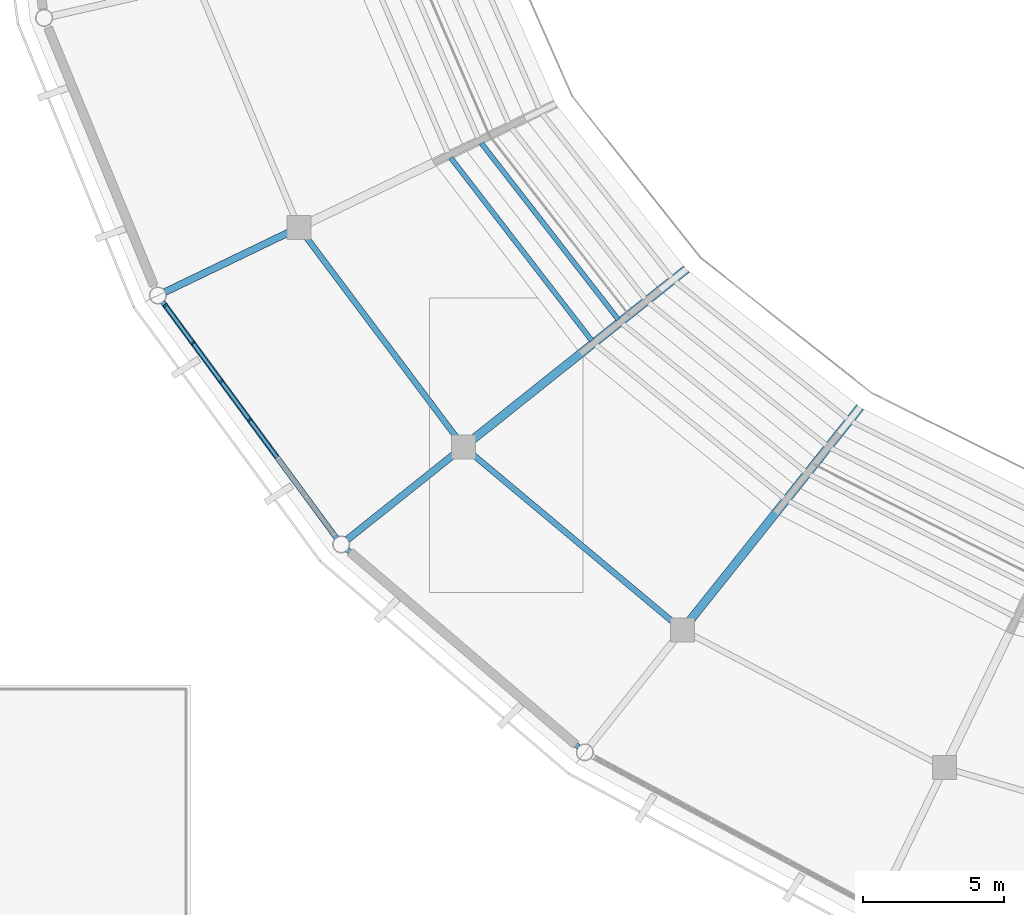
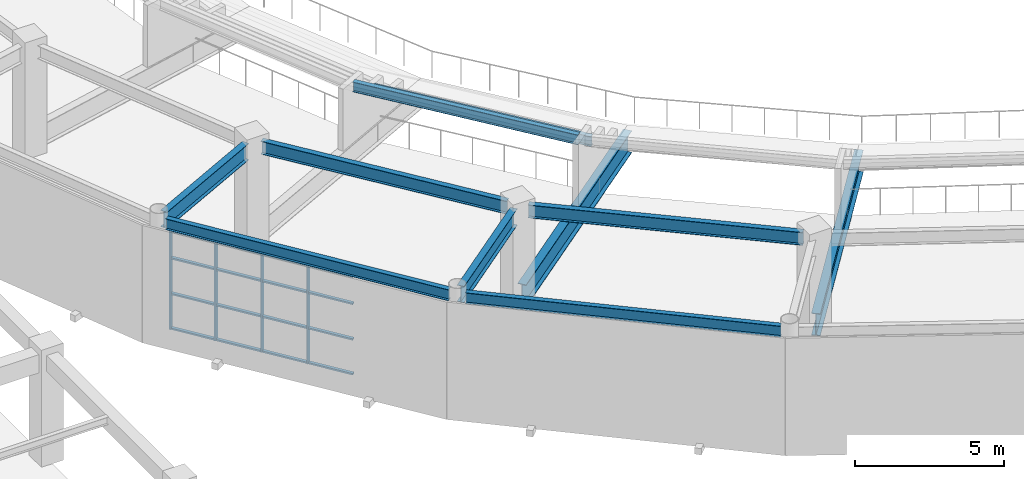
# One storey, part 28 of 122: 20 members, 10 beams, 1 element without a shape of its own.
"""IFC4 building model written with IfcOpenShell, lengths in metres."""

from ifc_helpers import new_model, si_unit, direction, frame, origin, origin_2d, place, context, subcontext, project, spatial, rectangle, i_section, extrude, material, material_profile, profile_set, type_object, element, aggregate, save


model = new_model("IFC4")

# Units and contexts
model_context = context("Model", 3, precision=1e-05, world=origin(), true_north=direction((0.0, 1.0)))
body_context = subcontext(model_context, "Body", "Model", "MODEL_VIEW")
ifc_project = project(units=[si_unit("LENGTHUNIT", "METRE"), si_unit("AREAUNIT", "SQUARE_METRE"), si_unit("VOLUMEUNIT", "CUBIC_METRE"), si_unit("PLANEANGLEUNIT", "RADIAN"), si_unit("MASSUNIT", "GRAM", prefix="KILO")], contexts=[model_context])

# Site, building, storey
site_placement = place(None, origin())
site = spatial("IfcSite", under=ifc_project, at=site_placement, CompositionType="ELEMENT")
building_placement = place(site_placement, origin())
building = spatial("IfcBuilding", under=site, at=building_placement, Name="Cuetzalor Civic Arena", CompositionType="ELEMENT")
storey_placement = place(building_placement, frame((0.0, 0.0, 16.199951171875)))
storey = spatial("IfcBuildingStorey", under=building, at=storey_placement, Name="L03", CompositionType="ELEMENT", Elevation=16.199951171875)

# Curtain wall, members
ifc_material_1 = material(Name="Anodised dark bronze aluminium and low-E solar glass", Category="aluminium")
curtain_wall_type = type_object("IfcCurtainWallType", Name="UnitisedCW_10150x4050", PredefinedType="USERDEFINED", material=ifc_material_1)
curtain_wall_placement = place(storey_placement, origin())
curtain_wall = element("IfcCurtainWall", 1, at=curtain_wall_placement, inside=storey, type_object=curtain_wall_type, Name="Drum Triangle Foyer Curtain Wall L03-051", ObjectType="UNITISED CURTAIN WALL", PredefinedType="USERDEFINED")
ifc_material_2 = material(Name="Anodised dark bronze aluminium", Category="aluminium")
ifc_material_profile_1 = material_profile(ifc_material_2, rectangle(XDim=0.06494140625, YDim=0.14990234375, at=origin_2d()), Name="ALU MULLION 65x150")
ifc_profile_set_1 = profile_set([ifc_material_profile_1], Name="Anodised dark bronze aluminium")
member_type_1 = type_object("IfcMemberType", Name="CurtainWallMullion_60x150", PredefinedType="MULLION", material=ifc_profile_set_1)
member_1_placement = place(storey_placement, frame((-45.8984375, -24.6103515625, 0.0), z_axis=(0.0, 0.0, 1.0), x_axis=(-0.59292931222, 0.805254513002, 0.0)))
member_1 = element("IfcMember", 2, at=member_1_placement, type_object=member_type_1, Name="CW-12 mullion 4", PredefinedType="MULLION", context=body_context, shape_type="SweptSolid", body=[
    extrude(rectangle(XDim=0.06494140625, YDim=0.14990234375, at=origin_2d()), origin(), (0.0, 0.0, 1.0), 4.052978515625),
])
member_2_placement = place(storey_placement, frame((-46.90087890625, -23.2490234375, 0.0), z_axis=(0.0, 0.0, 1.0), x_axis=(-0.59292931222, 0.805254513002, 0.0)))
member_2 = element("IfcMember", 3, at=member_2_placement, type_object=member_type_1, Name="CW-12 mullion 5", PredefinedType="MULLION", context=body_context, shape_type="SweptSolid", body=[
    extrude(rectangle(XDim=0.06494140625, YDim=0.14990234375, at=origin_2d()), origin(), (0.0, 0.0, 1.0), 4.052978515625),
])
member_3_placement = place(storey_placement, frame((-47.9033203125, -21.8876953125, 0.0), z_axis=(0.0, 0.0, 1.0), x_axis=(-0.59292931222, 0.805254513002, 0.0)))
member_3 = element("IfcMember", 4, at=member_3_placement, type_object=member_type_1, Name="CW-12 mullion 6", PredefinedType="MULLION", context=body_context, shape_type="SweptSolid", body=[
    extrude(rectangle(XDim=0.06494140625, YDim=0.14990234375, at=origin_2d()), origin(), (0.0, 0.0, 1.0), 4.052978515625),
])
member_4_placement = place(storey_placement, frame((-48.886474609375, -20.552490234375, 0.0), z_axis=(0.0, 0.0, 1.0), x_axis=(-0.59292931222, 0.805254513002, 0.0)))
member_4 = element("IfcMember", 5, at=member_4_placement, type_object=member_type_1, Name="CW-12 mullion 7", PredefinedType="MULLION", context=body_context, shape_type="SweptSolid", body=[
    extrude(rectangle(XDim=0.06494140625, YDim=0.14990234375, at=origin_2d()), origin(), (0.0, 0.0, 1.0), 4.052978515625),
])
ifc_material_3 = material(Name="Anodised dark bronze aluminium", Category="aluminium")
ifc_material_profile_2 = material_profile(ifc_material_3, rectangle(XDim=0.1201171875, YDim=0.06494140625, at=origin_2d()), Name="ALU TRANSOM 65x120")
ifc_profile_set_2 = profile_set([ifc_material_profile_2], Name="Anodised dark bronze aluminium")
member_type_2 = type_object("IfcMemberType", Name="CurtainWallTransom_60x120", PredefinedType="USERDEFINED", material=ifc_profile_set_2)
member_5_placement = place(storey_placement, frame((-44.915283203125, -25.945556640625, 0.032470703125), z_axis=(-0.592912120819, 0.805267171183, 0.0), x_axis=(-0.805267171183, -0.592912120819, 0.0)))
member_5 = element("IfcMember", 6, at=member_5_placement, type_object=member_type_2, Name="CW-12 transom 3.1", ObjectType="TRANSOM", PredefinedType="USERDEFINED", context=body_context, shape_type="SweptSolid", body=[
    extrude(rectangle(XDim=0.1201171875, YDim=0.06494140625, at=origin_2d()), origin(), (0.0, 0.0, 1.0), 1.625732421875),
])
member_6_placement = place(storey_placement, frame((-44.915283203125, -25.945556640625, 1.458984375), z_axis=(-0.592912120819, 0.805267171183, 0.0), x_axis=(-0.805267171183, -0.592912120819, 0.0)))
member_6 = element("IfcMember", 7, at=member_6_placement, type_object=member_type_2, Name="CW-12 transom 3.2", ObjectType="TRANSOM", PredefinedType="USERDEFINED", context=body_context, shape_type="SweptSolid", body=[
    extrude(rectangle(XDim=0.1201171875, YDim=0.06494140625, at=origin_2d()), origin(), (0.0, 0.0, 1.0), 1.625732421875),
])
member_7_placement = place(storey_placement, frame((-44.915283203125, -25.945556640625, 2.91796875), z_axis=(-0.592912120819, 0.805267171183, 0.0), x_axis=(-0.805267171183, -0.592912120819, 0.0)))
member_7 = element("IfcMember", 8, at=member_7_placement, type_object=member_type_2, Name="CW-12 transom 3.3", ObjectType="TRANSOM", PredefinedType="USERDEFINED", context=body_context, shape_type="SweptSolid", body=[
    extrude(rectangle(XDim=0.1201171875, YDim=0.06494140625, at=origin_2d()), origin(), (0.0, 0.0, 1.0), 1.625732421875),
])
member_8_placement = place(storey_placement, frame((-44.915283203125, -25.945556640625, 4.0205078125), z_axis=(-0.592912120819, 0.805267171183, 0.0), x_axis=(-0.805267171183, -0.592912120819, 0.0)))
member_8 = element("IfcMember", 9, at=member_8_placement, type_object=member_type_2, Name="CW-12 transom 3.4", ObjectType="TRANSOM", PredefinedType="USERDEFINED", context=body_context, shape_type="SweptSolid", body=[
    extrude(rectangle(XDim=0.1201171875, YDim=0.06494140625, at=origin_2d()), origin(), (0.0, 0.0, 1.0), 1.625732421875),
])
member_9_placement = place(storey_placement, frame((-45.917724609375, -24.584228515625, 0.032470703125), z_axis=(-0.592912120819, 0.805267171183, 0.0), x_axis=(-0.805267171183, -0.592912120819, 0.0)))
member_9 = element("IfcMember", 10, at=member_9_placement, type_object=member_type_2, Name="CW-12 transom 4.1", ObjectType="TRANSOM", PredefinedType="USERDEFINED", context=body_context, shape_type="SweptSolid", body=[
    extrude(rectangle(XDim=0.1201171875, YDim=0.06494140625, at=origin_2d()), origin(), (0.0, 0.0, 1.0), 1.625732421875),
])
member_10_placement = place(storey_placement, frame((-45.917724609375, -24.584228515625, 1.458984375), z_axis=(-0.592912120819, 0.805267171183, 0.0), x_axis=(-0.805267171183, -0.592912120819, 0.0)))
member_10 = element("IfcMember", 11, at=member_10_placement, type_object=member_type_2, Name="CW-12 transom 4.2", ObjectType="TRANSOM", PredefinedType="USERDEFINED", context=body_context, shape_type="SweptSolid", body=[
    extrude(rectangle(XDim=0.1201171875, YDim=0.06494140625, at=origin_2d()), origin(), (0.0, 0.0, 1.0), 1.625732421875),
])
member_11_placement = place(storey_placement, frame((-45.917724609375, -24.584228515625, 2.91796875), z_axis=(-0.592912120819, 0.805267171183, 0.0), x_axis=(-0.805267171183, -0.592912120819, 0.0)))
member_11 = element("IfcMember", 12, at=member_11_placement, type_object=member_type_2, Name="CW-12 transom 4.3", ObjectType="TRANSOM", PredefinedType="USERDEFINED", context=body_context, shape_type="SweptSolid", body=[
    extrude(rectangle(XDim=0.1201171875, YDim=0.06494140625, at=origin_2d()), origin(), (0.0, 0.0, 1.0), 1.625732421875),
])
member_12_placement = place(storey_placement, frame((-45.917724609375, -24.584228515625, 4.0205078125), z_axis=(-0.592912120819, 0.805267171183, 0.0), x_axis=(-0.805267171183, -0.592912120819, 0.0)))
member_12 = element("IfcMember", 13, at=member_12_placement, type_object=member_type_2, Name="CW-12 transom 4.4", ObjectType="TRANSOM", PredefinedType="USERDEFINED", context=body_context, shape_type="SweptSolid", body=[
    extrude(rectangle(XDim=0.1201171875, YDim=0.06494140625, at=origin_2d()), origin(), (0.0, 0.0, 1.0), 1.625732421875),
])
member_13_placement = place(storey_placement, frame((-46.920166015625, -23.222900390625, 0.032470703125), z_axis=(-0.592912120819, 0.805267171183, 0.0), x_axis=(-0.805267171183, -0.592912120819, 0.0)))
member_13 = element("IfcMember", 14, at=member_13_placement, type_object=member_type_2, Name="CW-12 transom 5.1", ObjectType="TRANSOM", PredefinedType="USERDEFINED", context=body_context, shape_type="SweptSolid", body=[
    extrude(rectangle(XDim=0.1201171875, YDim=0.06494140625, at=origin_2d()), origin(), (0.0, 0.0, 1.0), 1.625732421875),
])
member_14_placement = place(storey_placement, frame((-46.920166015625, -23.222900390625, 1.458984375), z_axis=(-0.592912120819, 0.805267171183, 0.0), x_axis=(-0.805267171183, -0.592912120819, 0.0)))
member_14 = element("IfcMember", 15, at=member_14_placement, type_object=member_type_2, Name="CW-12 transom 5.2", ObjectType="TRANSOM", PredefinedType="USERDEFINED", context=body_context, shape_type="SweptSolid", body=[
    extrude(rectangle(XDim=0.1201171875, YDim=0.06494140625, at=origin_2d()), origin(), (0.0, 0.0, 1.0), 1.625732421875),
])
member_15_placement = place(storey_placement, frame((-46.920166015625, -23.222900390625, 2.91796875), z_axis=(-0.592912120819, 0.805267171183, 0.0), x_axis=(-0.805267171183, -0.592912120819, 0.0)))
member_15 = element("IfcMember", 16, at=member_15_placement, type_object=member_type_2, Name="CW-12 transom 5.3", ObjectType="TRANSOM", PredefinedType="USERDEFINED", context=body_context, shape_type="SweptSolid", body=[
    extrude(rectangle(XDim=0.1201171875, YDim=0.06494140625, at=origin_2d()), origin(), (0.0, 0.0, 1.0), 1.625732421875),
])
member_16_placement = place(storey_placement, frame((-46.920166015625, -23.222900390625, 4.0205078125), z_axis=(-0.592912120819, 0.805267171183, 0.0), x_axis=(-0.805267171183, -0.592912120819, 0.0)))
member_16 = element("IfcMember", 17, at=member_16_placement, type_object=member_type_2, Name="CW-12 transom 5.4", ObjectType="TRANSOM", PredefinedType="USERDEFINED", context=body_context, shape_type="SweptSolid", body=[
    extrude(rectangle(XDim=0.1201171875, YDim=0.06494140625, at=origin_2d()), origin(), (0.0, 0.0, 1.0), 1.625732421875),
])
member_17_placement = place(storey_placement, frame((-47.922607421875, -21.861328125, 0.032470703125), z_axis=(-0.592963756922, 0.805229149359, 0.0), x_axis=(-0.805229149359, -0.592963756922, 0.0)))
member_17 = element("IfcMember", 18, at=member_17_placement, type_object=member_type_2, Name="CW-12 transom 6.1", ObjectType="TRANSOM", PredefinedType="USERDEFINED", context=body_context, shape_type="SweptSolid", body=[
    extrude(rectangle(XDim=0.1201171875, YDim=0.06494140625, at=origin_2d()), origin(), (0.0, 0.0, 1.0), 1.593017578125),
])
member_18_placement = place(storey_placement, frame((-47.922607421875, -21.861328125, 1.458984375), z_axis=(-0.592963756922, 0.805229149359, 0.0), x_axis=(-0.805229149359, -0.592963756922, 0.0)))
member_18 = element("IfcMember", 19, at=member_18_placement, type_object=member_type_2, Name="CW-12 transom 6.2", ObjectType="TRANSOM", PredefinedType="USERDEFINED", context=body_context, shape_type="SweptSolid", body=[
    extrude(rectangle(XDim=0.1201171875, YDim=0.06494140625, at=origin_2d()), origin(), (0.0, 0.0, 1.0), 1.593017578125),
])
member_19_placement = place(storey_placement, frame((-47.922607421875, -21.861328125, 2.91796875), z_axis=(-0.592963756922, 0.805229149359, 0.0), x_axis=(-0.805229149359, -0.592963756922, 0.0)))
member_19 = element("IfcMember", 20, at=member_19_placement, type_object=member_type_2, Name="CW-12 transom 6.3", ObjectType="TRANSOM", PredefinedType="USERDEFINED", context=body_context, shape_type="SweptSolid", body=[
    extrude(rectangle(XDim=0.1201171875, YDim=0.06494140625, at=origin_2d()), origin(), (0.0, 0.0, 1.0), 1.593017578125),
])
member_20_placement = place(storey_placement, frame((-47.922607421875, -21.861328125, 4.0205078125), z_axis=(-0.592963756922, 0.805229149359, 0.0), x_axis=(-0.805229149359, -0.592963756922, 0.0)))
member_20 = element("IfcMember", 21, at=member_20_placement, type_object=member_type_2, Name="CW-12 transom 6.4", ObjectType="TRANSOM", PredefinedType="USERDEFINED", context=body_context, shape_type="SweptSolid", body=[
    extrude(rectangle(XDim=0.1201171875, YDim=0.06494140625, at=origin_2d()), origin(), (0.0, 0.0, 1.0), 1.593017578125),
])
aggregate(curtain_wall, [member_1, member_2, member_3, member_4, member_5, member_6, member_7, member_8, member_9, member_10, member_11, member_12, member_13, member_14, member_15, member_16, member_17, member_18, member_19, member_20])

# Beams
ifc_material_4 = material(Name="Steel S355", Category="steel")
ifc_material_profile_3 = material_profile(ifc_material_4, i_section(OverallWidth=0.18994140625, OverallDepth=0.45703125, WebThickness=0.009033203125, FlangeThickness=0.014404296875, at=origin_2d()), Name="W460x74")
ifc_profile_set_3 = profile_set([ifc_material_profile_3], Name="Steel S355")
beam_type_1 = type_object("IfcBeamType", Name="FacadeSpandrelBeam_W460", PredefinedType="SPANDREL", material=ifc_profile_set_3)
beam_1_placement = place(storey_placement, frame((-48.975830078125, -20.430908203125, 4.29150390625), z_axis=(0.592928645702, -0.805255003776, 0.0), x_axis=(0.805255003776, 0.592928645702, 0.0)))
element("IfcBeam", 22, at=beam_1_placement, inside=storey, type_object=beam_type_1, Name="Drum Perimeter Spandrel L03-S17", PredefinedType="SPANDREL", context=body_context, shape_type="SweptSolid", body=[
    extrude(i_section(OverallWidth=0.18994140625, OverallDepth=0.45703125, WebThickness=0.009033203125, FlangeThickness=0.014404296875, at=origin_2d()), origin(), (0.0, 0.0, 1.0), 10.380615234375),
])
beam_2_placement = place(storey_placement, frame((-42.42822265625, -29.211669921875, 4.29150390625), z_axis=(0.760676650628, -0.649130983076, 0.0), x_axis=(0.649130983076, 0.760676650628, 0.0)))
element("IfcBeam", 23, at=beam_2_placement, inside=storey, type_object=beam_type_1, Name="Drum Perimeter Spandrel L03-S18", PredefinedType="SPANDREL", context=body_context, shape_type="SweptSolid", body=[
    extrude(i_section(OverallWidth=0.18994140625, OverallDepth=0.45703125, WebThickness=0.009033203125, FlangeThickness=0.014404296875, at=origin_2d()), origin(), (0.0, 0.0, 1.0), 10.77490234375),
])
ifc_material_5 = material(Name="Steel S355", Category="steel")
ifc_material_profile_4 = material_profile(ifc_material_5, i_section(OverallWidth=0.208984375, OverallDepth=0.532958984375, WebThickness=0.01025390625, FlangeThickness=0.015625, at=origin_2d()), Name="W530x92")
ifc_profile_set_4 = profile_set([ifc_material_profile_4], Name="Steel S355")
beam_type_2 = type_object("IfcBeamType", Name="SteelCollarGirder_W530", PredefinedType="BEAM", material=ifc_profile_set_4)
beam_3_placement = place(storey_placement, frame((-43.92529296875, -18.085205078125, 4.253662109375), z_axis=(0.600491348624, -0.799631252658, 0.0), x_axis=(0.799631252658, 0.600491348624, 0.0)))
element("IfcBeam", 24, at=beam_3_placement, inside=storey, type_object=beam_type_2, Name="Drum Concourse Ring Girder L03-S17", PredefinedType="BEAM", context=body_context, shape_type="SweptSolid", body=[
    extrude(i_section(OverallWidth=0.208984375, OverallDepth=0.532958984375, WebThickness=0.01025390625, FlangeThickness=0.015625, at=origin_2d()), origin(), (0.0, 0.0, 1.0), 8.9814453125),
])
beam_4_placement = place(storey_placement, frame((-38.02587890625, -25.800537109375, 4.253662109375), z_axis=(0.766937066427, -0.641722320121, 0.0), x_axis=(0.641722320121, 0.766937066427, 0.0)))
element("IfcBeam", 25, at=beam_4_placement, inside=storey, type_object=beam_type_2, Name="Drum Concourse Ring Girder L03-S18", PredefinedType="BEAM", context=body_context, shape_type="SweptSolid", body=[
    extrude(i_section(OverallWidth=0.208984375, OverallDepth=0.532958984375, WebThickness=0.01025390625, FlangeThickness=0.015625, at=origin_2d()), origin(), (0.0, 0.0, 1.0), 9.37646484375),
])
ifc_material_6 = material(Name="Steel S355", Category="steel")
ifc_material_profile_5 = material_profile(ifc_material_6, i_section(OverallWidth=0.2529296875, OverallDepth=0.677978515625, WebThickness=0.01171875, FlangeThickness=0.016357421875, at=origin_2d()), Name="W690x125")
ifc_profile_set_5 = profile_set([ifc_material_profile_5], Name="Steel S355")
beam_type_3 = type_object("IfcBeamType", Name="SteelPrimaryGirder_W690", PredefinedType="BEAM", material=ifc_profile_set_5)
beam_5_placement = place(storey_placement, frame((-44.4716796875, -17.9453125, 4.18115234375), z_axis=(-0.900964883231, -0.433892013275, 0.0), x_axis=(0.433892013275, -0.900964883231, 0.0)))
element("IfcBeam", 26, at=beam_5_placement, inside=storey, type_object=beam_type_3, Name="Drum Radial Girder L03-R17", PredefinedType="BEAM", context=body_context, shape_type="SweptSolid", body=[
    extrude(i_section(OverallWidth=0.2529296875, OverallDepth=0.677978515625, WebThickness=0.01171875, FlangeThickness=0.016357421875, at=origin_2d()), origin(), (0.0, 0.0, 1.0), 4.900390625),
])
beam_6_placement = place(storey_placement, frame((-38.59130859375, -25.78759765625, 4.18115234375), z_axis=(-0.781810957258, -0.623515538789, 0.0), x_axis=(0.623515538789, -0.781810957258, 0.0)))
element("IfcBeam", 27, at=beam_6_placement, inside=storey, type_object=beam_type_3, Name="Drum Radial Girder L03-R18", PredefinedType="BEAM", context=body_context, shape_type="SweptSolid", body=[
    extrude(i_section(OverallWidth=0.2529296875, OverallDepth=0.677978515625, WebThickness=0.01171875, FlangeThickness=0.016357421875, at=origin_2d()), origin(), (0.0, 0.0, 1.0), 4.89990234375),
])
ifc_material_7 = material(Name="Steel S355", Category="steel")
ifc_material_profile_6 = material_profile(ifc_material_7, i_section(OverallWidth=0.177978515625, OverallDepth=0.406982421875, WebThickness=0.0078125, FlangeThickness=0.0126953125, at=origin_2d()), Name="W410x60")
ifc_profile_set_6 = profile_set([ifc_material_profile_6], Name="Steel S355")
beam_type_4 = type_object("IfcBeamType", Name="SteelSecondaryBeam_W410", PredefinedType="BEAM", material=ifc_profile_set_6)
beam_7_placement = place(storey_placement, frame((-37.684326171875, -14.7939453125, 2.401611328125), z_axis=(0.613370823241, -0.789795057719, 0.0), x_axis=(0.789795057719, 0.613370823241, 0.0)))
element("IfcBeam", 28, at=beam_7_placement, inside=storey, type_object=beam_type_4, Name="Upper Bowl Tier Carrier Beam S17-R3", PredefinedType="BEAM", context=body_context, shape_type="SweptSolid", body=[
    extrude(i_section(OverallWidth=0.177978515625, OverallDepth=0.406982421875, WebThickness=0.0078125, FlangeThickness=0.0126953125, at=origin_2d()), origin(), (0.0, 0.0, 1.0), 7.92236328125),
])
beam_8_placement = place(storey_placement, frame((-38.765869140625, -15.314697265625, 3.25146484375), z_axis=(0.610856847656, -0.791741063525, 0.0), x_axis=(0.791741063525, 0.610856847656, 0.0)))
element("IfcBeam", 29, at=beam_8_placement, inside=storey, type_object=beam_type_4, Name="Upper Bowl Tier Carrier Beam S17-R4", PredefinedType="BEAM", context=body_context, shape_type="SweptSolid", body=[
    extrude(i_section(OverallWidth=0.177978515625, OverallDepth=0.406982421875, WebThickness=0.0078125, FlangeThickness=0.0126953125, at=origin_2d()), origin(), (0.0, 0.0, 1.0), 8.18994140625),
])
ifc_material_8 = material(Name="Steel S355", Category="steel")
ifc_material_profile_7 = material_profile(ifc_material_8, i_section(OverallWidth=0.303955078125, OverallDepth=0.910888671875, WebThickness=0.015869140625, FlangeThickness=0.02392578125, at=origin_2d()), Name="W920x223")
ifc_profile_set_7 = profile_set([ifc_material_profile_7], Name="Steel S355")
beam_type_5 = type_object("IfcBeamType", Name="UpperBowlRakerBeam_W840", PredefinedType="USERDEFINED", material=ifc_profile_set_7)
beam_9_placement = place(storey_placement, frame((-30.4130859375, -19.265869140625, 0.45556640625), z_axis=(-0.781840685283, -0.623478261719, 0.0), x_axis=(0.623478261719, -0.781840685283, 0.0)))
element("IfcBeam", 30, at=beam_9_placement, inside=storey, type_object=beam_type_5, Name="Upper Bowl Raker Beam R18", ObjectType="RAKER", PredefinedType="USERDEFINED", context=body_context, shape_type="SweptSolid", body=[
    extrude(i_section(OverallWidth=0.303955078125, OverallDepth=0.910888671875, WebThickness=0.015869140625, FlangeThickness=0.02392578125, at=origin_2d()), origin(), (0.0, 0.0, 1.0), 9.72021484375),
])
beam_10_placement = place(storey_placement, frame((-24.25390625, -24.15869140625, 0.45556640625), z_axis=(-0.623490505412, -0.781830921402, 0.0), x_axis=(0.781830921402, -0.623490505412, 0.0)))
element("IfcBeam", 31, at=beam_10_placement, inside=storey, type_object=beam_type_5, Name="Upper Bowl Raker Beam R19", ObjectType="RAKER", PredefinedType="USERDEFINED", context=body_context, shape_type="SweptSolid", body=[
    extrude(i_section(OverallWidth=0.303955078125, OverallDepth=0.910888671875, WebThickness=0.015869140625, FlangeThickness=0.02392578125, at=origin_2d()), origin(), (0.0, 0.0, 1.0), 9.719970703125),
])

save(model, "model.ifc")
